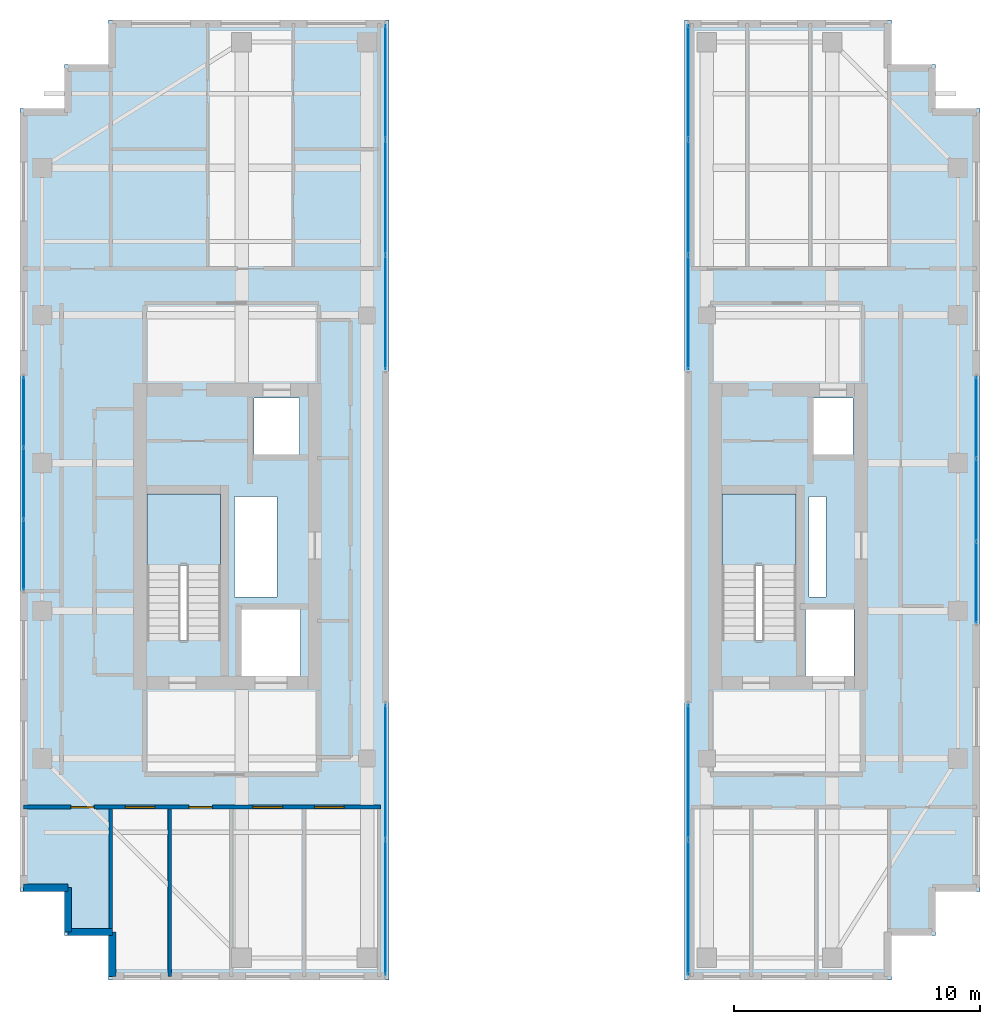
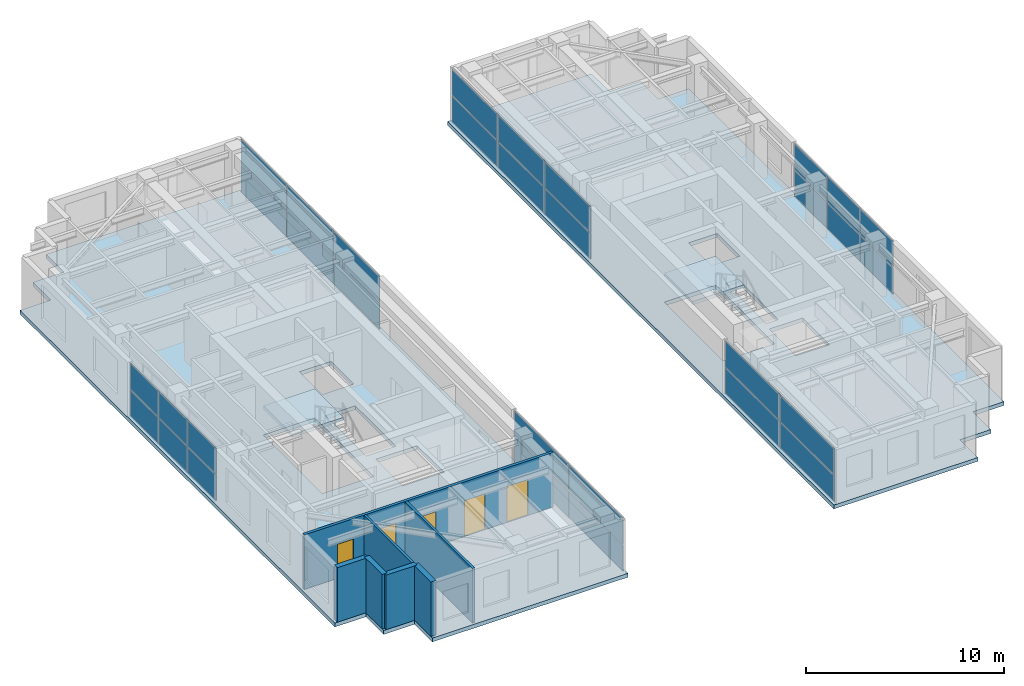
# One storey, part 17 of 23: 32 plates, 7 walls, 5 doors, 4 slabs, 5 openings, 8 elements without a shape of their own.
"""IFC4 building model written with IfcOpenShell, lengths in metres."""

from ifc_helpers import new_model, si_unit, direction, frame, frame_2d, origin, origin_2d, place, context, subcontext, project, spatial, polyline, rectangle, outline, extrude, source, transform, mapped, material, layer, layer_set, type_object, element, fill, aggregate, save


model = new_model("IFC4")

# Units and contexts
model_context = context("Model", 3, precision=1e-05, world=origin(), true_north=direction((0.0, 1.0)))
body_context = subcontext(model_context, "Body", "Model", "MODEL_VIEW")
ifc_project = project(units=[si_unit("LENGTHUNIT", "METRE"), si_unit("AREAUNIT", "SQUARE_METRE"), si_unit("VOLUMEUNIT", "CUBIC_METRE"), si_unit("PLANEANGLEUNIT", "RADIAN"), si_unit("MASSUNIT", "GRAM", prefix="KILO")], contexts=[model_context])

# Site, building, storey
site_placement = place(None, origin())
site = spatial("IfcSite", under=ifc_project, at=site_placement, CompositionType="ELEMENT")
building_placement = place(site_placement, origin())
building = spatial("IfcBuilding", under=site, at=building_placement, Name="Khoralis Quay Care Tower", CompositionType="ELEMENT")
storey_placement = place(building_placement, frame((0.0, 0.0, 252.89990234375)))
storey = spatial("IfcBuildingStorey", under=building, at=storey_placement, Name="L66", CompositionType="ELEMENT", Elevation=252.89990234375)

# Stair, slab
ifc_material_1 = material(Name="Precast concrete C45/55", Category="concrete")
stair_type = type_object("IfcStairType", Name="ST-TWR-DOGLEG-1400", PredefinedType="HALF_TURN_STAIR", material=ifc_material_1)
stair_1_placement = place(storey_placement, origin())
stair_1 = element("IfcStair", 1, at=stair_1_placement, inside=storey, type_object=stair_type, Name="L66 West Core Exit Stair ST-T1", PredefinedType="HALF_TURN_STAIR")
ifc_layer_1 = layer(ifc_material_1, 0.199951171875)
ifc_layer_set_1 = layer_set([ifc_layer_1], Name="Precast concrete C45/55")
slab_type_1 = type_object("IfcSlabType", Name="SLB-LANDING-200", PredefinedType="LANDING", material=ifc_layer_set_1)
slab_1_placement = place(storey_placement, frame((0.0, 0.0, 1.60009765625)))
slab_1 = element("IfcSlab", 2, at=slab_1_placement, type_object=slab_type_1, Name="ST-T1 landing 1", PredefinedType="LANDING", context=body_context, shape_type="SweptSolid", body=[
    extrude(outline(polyline([(11.14990234375, 19.840087890625), (11.14990234375, 22.75), (8.14990234375, 22.75), (8.14990234375, 19.840087890625), (11.14990234375, 19.840087890625)])), origin(), (0.0, 0.0, 1.0), 0.199951171875),
])
aggregate(stair_1, [slab_1])

stair_2_placement = place(storey_placement, origin())
stair_2 = element("IfcStair", 3, at=stair_2_placement, inside=storey, type_object=stair_type, Name="L66 East Core Exit Stair ST-T2", PredefinedType="HALF_TURN_STAIR")
slab_2_placement = place(storey_placement, frame((0.0, 0.0, 1.60009765625)))
slab_2 = element("IfcSlab", 4, at=slab_2_placement, type_object=slab_type_1, Name="ST-T2 landing 1", PredefinedType="LANDING", context=body_context, shape_type="SweptSolid", body=[
    extrude(outline(polyline([(34.52001953125, 19.840087890625), (34.52001953125, 22.75), (31.52001953125, 22.75), (31.52001953125, 19.840087890625), (34.52001953125, 19.840087890625)])), origin(), (0.0, 0.0, 1.0), 0.199951171875),
])
aggregate(stair_2, [slab_2])

# Slabs
ifc_material_2 = material(Name="Concrete C40/50", Category="concrete")
ifc_layer_2 = layer(ifc_material_2, 0.239990234375)
ifc_layer_set_2 = layer_set([ifc_layer_2], Name="Concrete C40/50")
slab_type_2 = type_object("IfcSlabType", Name="SLB-TWR-240", PredefinedType="FLOOR", material=ifc_layer_set_2)
slab_3_placement = place(storey_placement, frame((0.0, 0.0, -0.239990234375)))
element("IfcSlab", 5, at=slab_3_placement, inside=storey, type_object=slab_type_2, Name="Tower Wing 1 Slab L66", PredefinedType="FLOOR", context=body_context, shape_type="SweptSolid", body=[
    extrude(outline(polyline([(6.60009765625, 3.0), (18.0, 3.0), (18.0, 42.0), (6.60009765625, 42.0), (6.60009765625, 40.199951171875), (4.800048828125, 40.199951171875), (4.800048828125, 38.39990234375), (3.0, 38.39990234375), (3.0, 6.60009765625), (4.800048828125, 6.60009765625), (4.800048828125, 4.800048828125), (6.60009765625, 4.800048828125), (6.60009765625, 3.0)]), holes=[polyline([(11.14990234375, 16.800048828125), (11.14990234375, 22.75), (8.14990234375, 22.75), (8.14990234375, 16.800048828125), (11.14990234375, 16.800048828125)]), polyline([(12.0, 15.35009765625), (14.39990234375, 15.35009765625), (14.39990234375, 18.050048828125), (12.0, 18.050048828125), (12.0, 15.35009765625)]), polyline([(12.5, 24.35009765625), (14.35009765625, 24.35009765625), (14.35009765625, 26.64990234375), (12.5, 26.64990234375), (12.5, 24.35009765625)]), polyline([(11.719970703125, 18.550048828125), (13.449951171875, 18.550048828125), (13.449951171875, 22.64990234375), (11.719970703125, 22.64990234375), (11.719970703125, 18.550048828125)])]), origin(), (0.0, 0.0, 1.0), 0.239990234375),
])
slab_4_placement = place(storey_placement, frame((0.0, 0.0, -0.239990234375)))
element("IfcSlab", 6, at=slab_4_placement, inside=storey, type_object=slab_type_2, Name="Tower Wing 2 Slab L66", PredefinedType="FLOOR", context=body_context, shape_type="SweptSolid", body=[
    extrude(outline(polyline([(30.0, 3.0), (38.39990234375, 3.0), (38.39990234375, 4.800048828125), (40.199951171875, 4.800048828125), (40.199951171875, 6.60009765625), (42.0, 6.60009765625), (42.0, 38.39990234375), (40.199951171875, 38.39990234375), (40.199951171875, 40.199951171875), (38.39990234375, 40.199951171875), (38.39990234375, 42.0), (30.0, 42.0), (30.0, 3.0)]), holes=[polyline([(34.52001953125, 16.800048828125), (34.52001953125, 22.75), (31.52001953125, 22.75), (31.52001953125, 16.800048828125), (34.52001953125, 16.800048828125)]), polyline([(34.919921875, 15.35009765625), (36.8798828125, 15.35009765625), (36.8798828125, 18.050048828125), (34.919921875, 18.050048828125), (34.919921875, 15.35009765625)]), polyline([(35.199951171875, 24.35009765625), (36.85009765625, 24.35009765625), (36.85009765625, 26.64990234375), (35.199951171875, 26.64990234375), (35.199951171875, 24.35009765625)]), polyline([(35.050048828125, 18.550048828125), (35.75, 18.550048828125), (35.75, 22.64990234375), (35.050048828125, 22.64990234375), (35.050048828125, 18.550048828125)])]), origin(), (0.0, 0.0, 1.0), 0.239990234375),
])

# Curtain wall, plates
ifc_material_3 = material(Name="Pale anodised aluminium", Category="aluminium")
ifc_layer_3 = layer(ifc_material_3, 0.18994140625)
ifc_layer_set_3 = layer_set([ifc_layer_3], Name="Pale anodised aluminium")
curtain_wall_type_1 = type_object("IfcCurtainWallType", Name="CW-SYS-PORTAL", PredefinedType="NOTDEFINED", material=ifc_layer_set_3)
curtain_wall_1_placement = place(storey_placement, origin())
curtain_wall_1 = element("IfcCurtainWall", 7, at=curtain_wall_1_placement, inside=storey, type_object=curtain_wall_type_1, Name="L66 Unitised Curtain Wall CW-VP-L66-P1-S", PredefinedType="NOTDEFINED")
ifc_material_4 = material(Name="Low-E solar-control double glazing", Category="glass")
ifc_layer_4 = layer(ifc_material_4, 0.031982421875)
ifc_layer_set_4 = layer_set([ifc_layer_4], Name="Low-E solar-control double glazing")
plate_type = type_object("IfcPlateType", Name="PNL-VIS-32", PredefinedType="CURTAIN_PANEL", material=ifc_layer_set_4)
shared_shape_1 = source(origin(), body_context, "Body", "SweptSolid", [
    extrude(rectangle(XDim=5.4599609375, YDim=0.028076171875, at=origin_2d()), origin(), (0.0, 0.0, 1.0), 1.590087890625),
])
plate_1_placement = place(storey_placement, frame((17.85009765625, 5.93994140625, 0.06005859375), z_axis=(0.0, 0.0, 1.0), x_axis=(0.0, 1.0, 0.0)))
plate_1 = element("IfcPlate", 8, at=plate_1_placement, type_object=plate_type, Name="CW4 panel 1.1", PredefinedType="CURTAIN_PANEL", context=body_context, shape_type="MappedRepresentation", body=[
    mapped(shared_shape_1, transform((0.0, 0.0, 0.0), scale=1.0)),
])
plate_2_placement = place(storey_placement, frame((17.85009765625, 5.93994140625, 1.7099609375), z_axis=(0.0, 0.0, 1.0), x_axis=(0.0, 1.0, 0.0)))
plate_2 = element("IfcPlate", 9, at=plate_2_placement, type_object=plate_type, Name="CW4 panel 1.2", PredefinedType="CURTAIN_PANEL", context=body_context, shape_type="MappedRepresentation", body=[
    mapped(shared_shape_1, transform((0.0, 0.0, 0.0), scale=1.0)),
])
plate_3_placement = place(storey_placement, frame((17.85009765625, 11.4599609375, 0.06005859375), z_axis=(0.0, 0.0, 1.0), x_axis=(0.0, 1.0, 0.0)))
plate_3 = element("IfcPlate", 10, at=plate_3_placement, type_object=plate_type, Name="CW4 panel 2.1", PredefinedType="CURTAIN_PANEL", context=body_context, shape_type="MappedRepresentation", body=[
    mapped(shared_shape_1, transform((0.0, 0.0, 0.0), scale=1.0)),
])
plate_4_placement = place(storey_placement, frame((17.85009765625, 11.4599609375, 1.7099609375), z_axis=(0.0, 0.0, 1.0), x_axis=(0.0, 1.0, 0.0)))
plate_4 = element("IfcPlate", 11, at=plate_4_placement, type_object=plate_type, Name="CW4 panel 2.2", PredefinedType="CURTAIN_PANEL", context=body_context, shape_type="MappedRepresentation", body=[
    mapped(shared_shape_1, transform((0.0, 0.0, 0.0), scale=1.0)),
])
aggregate(curtain_wall_1, [plate_1, plate_2, plate_3, plate_4])

curtain_wall_2_placement = place(storey_placement, origin())
curtain_wall_2 = element("IfcCurtainWall", 12, at=curtain_wall_2_placement, inside=storey, type_object=curtain_wall_type_1, Name="L66 Unitised Curtain Wall CW-VP-L66-P2-S", PredefinedType="NOTDEFINED")
plate_5_placement = place(storey_placement, frame((30.14990234375, 5.93994140625, 0.06005859375), z_axis=(0.0, 0.0, 1.0), x_axis=(0.0, 1.0, 0.0)))
plate_5 = element("IfcPlate", 13, at=plate_5_placement, type_object=plate_type, Name="CW4 panel 1.1", PredefinedType="CURTAIN_PANEL", context=body_context, shape_type="MappedRepresentation", body=[
    mapped(shared_shape_1, transform((0.0, 0.0, 0.0), scale=1.0)),
])
plate_6_placement = place(storey_placement, frame((30.14990234375, 5.93994140625, 1.7099609375), z_axis=(0.0, 0.0, 1.0), x_axis=(0.0, 1.0, 0.0)))
plate_6 = element("IfcPlate", 14, at=plate_6_placement, type_object=plate_type, Name="CW4 panel 1.2", PredefinedType="CURTAIN_PANEL", context=body_context, shape_type="MappedRepresentation", body=[
    mapped(shared_shape_1, transform((0.0, 0.0, 0.0), scale=1.0)),
])
plate_7_placement = place(storey_placement, frame((30.14990234375, 11.4599609375, 0.06005859375), z_axis=(0.0, 0.0, 1.0), x_axis=(0.0, 1.0, 0.0)))
plate_7 = element("IfcPlate", 15, at=plate_7_placement, type_object=plate_type, Name="CW4 panel 2.1", PredefinedType="CURTAIN_PANEL", context=body_context, shape_type="MappedRepresentation", body=[
    mapped(shared_shape_1, transform((0.0, 0.0, 0.0), scale=1.0)),
])
plate_8_placement = place(storey_placement, frame((30.14990234375, 11.4599609375, 1.7099609375), z_axis=(0.0, 0.0, 1.0), x_axis=(0.0, 1.0, 0.0)))
plate_8 = element("IfcPlate", 16, at=plate_8_placement, type_object=plate_type, Name="CW4 panel 2.2", PredefinedType="CURTAIN_PANEL", context=body_context, shape_type="MappedRepresentation", body=[
    mapped(shared_shape_1, transform((0.0, 0.0, 0.0), scale=1.0)),
])
aggregate(curtain_wall_2, [plate_5, plate_6, plate_7, plate_8])

curtain_wall_3_placement = place(storey_placement, origin())
curtain_wall_3 = element("IfcCurtainWall", 17, at=curtain_wall_3_placement, inside=storey, type_object=curtain_wall_type_1, Name="L66 Unitised Curtain Wall CW-VP-L66-P1-N", PredefinedType="NOTDEFINED")
shared_shape_2 = source(origin(), body_context, "Body", "SweptSolid", [
    extrude(rectangle(XDim=4.610107421875, YDim=0.028076171875, at=origin_2d()), origin(), (0.0, 0.0, 1.0), 1.590087890625),
])
plate_9_placement = place(storey_placement, frame((17.85009765625, 30.114990234375, 0.06005859375), z_axis=(0.0, 0.0, 1.0), x_axis=(0.0, 1.0, 0.0)))
plate_9 = element("IfcPlate", 18, at=plate_9_placement, type_object=plate_type, Name="CW4 panel 1.1", PredefinedType="CURTAIN_PANEL", context=body_context, shape_type="MappedRepresentation", body=[
    mapped(shared_shape_2, transform((0.0, 0.0, 0.0), scale=1.0)),
])
plate_10_placement = place(storey_placement, frame((17.85009765625, 30.114990234375, 1.7099609375), z_axis=(0.0, 0.0, 1.0), x_axis=(0.0, 1.0, 0.0)))
plate_10 = element("IfcPlate", 19, at=plate_10_placement, type_object=plate_type, Name="CW4 panel 1.2", PredefinedType="CURTAIN_PANEL", context=body_context, shape_type="MappedRepresentation", body=[
    mapped(shared_shape_2, transform((0.0, 0.0, 0.0), scale=1.0)),
])
plate_11_placement = place(storey_placement, frame((17.85009765625, 39.485107421875, 0.06005859375), z_axis=(0.0, 0.0, 1.0), x_axis=(0.0, 1.0, 0.0)))
plate_11 = element("IfcPlate", 20, at=plate_11_placement, type_object=plate_type, Name="CW4 panel 3.1", PredefinedType="CURTAIN_PANEL", context=body_context, shape_type="MappedRepresentation", body=[
    mapped(shared_shape_2, transform((0.0, 0.0, 0.0), scale=1.0)),
])
plate_12_placement = place(storey_placement, frame((17.85009765625, 39.485107421875, 1.7099609375), z_axis=(0.0, 0.0, 1.0), x_axis=(0.0, 1.0, 0.0)))
plate_12 = element("IfcPlate", 21, at=plate_12_placement, type_object=plate_type, Name="CW4 panel 3.2", PredefinedType="CURTAIN_PANEL", context=body_context, shape_type="MappedRepresentation", body=[
    mapped(shared_shape_2, transform((0.0, 0.0, 0.0), scale=1.0)),
])

curtain_wall_4_placement = place(storey_placement, origin())
curtain_wall_4 = element("IfcCurtainWall", 22, at=curtain_wall_4_placement, inside=storey, type_object=curtain_wall_type_1, Name="L66 Unitised Curtain Wall CW-VP-L66-P2-N", PredefinedType="NOTDEFINED")
plate_13_placement = place(storey_placement, frame((30.14990234375, 30.114990234375, 0.06005859375), z_axis=(0.0, 0.0, 1.0), x_axis=(0.0, 1.0, 0.0)))
plate_13 = element("IfcPlate", 23, at=plate_13_placement, type_object=plate_type, Name="CW4 panel 1.1", PredefinedType="CURTAIN_PANEL", context=body_context, shape_type="MappedRepresentation", body=[
    mapped(shared_shape_2, transform((0.0, 0.0, 0.0), scale=1.0)),
])
plate_14_placement = place(storey_placement, frame((30.14990234375, 30.114990234375, 1.7099609375), z_axis=(0.0, 0.0, 1.0), x_axis=(0.0, 1.0, 0.0)))
plate_14 = element("IfcPlate", 24, at=plate_14_placement, type_object=plate_type, Name="CW4 panel 1.2", PredefinedType="CURTAIN_PANEL", context=body_context, shape_type="MappedRepresentation", body=[
    mapped(shared_shape_2, transform((0.0, 0.0, 0.0), scale=1.0)),
])
plate_15_placement = place(storey_placement, frame((30.14990234375, 39.485107421875, 0.06005859375), z_axis=(0.0, 0.0, 1.0), x_axis=(0.0, 1.0, 0.0)))
plate_15 = element("IfcPlate", 25, at=plate_15_placement, type_object=plate_type, Name="CW4 panel 3.1", PredefinedType="CURTAIN_PANEL", context=body_context, shape_type="MappedRepresentation", body=[
    mapped(shared_shape_2, transform((0.0, 0.0, 0.0), scale=1.0)),
])
plate_16_placement = place(storey_placement, frame((30.14990234375, 39.485107421875, 1.7099609375), z_axis=(0.0, 0.0, 1.0), x_axis=(0.0, 1.0, 0.0)))
plate_16 = element("IfcPlate", 26, at=plate_16_placement, type_object=plate_type, Name="CW4 panel 3.2", PredefinedType="CURTAIN_PANEL", context=body_context, shape_type="MappedRepresentation", body=[
    mapped(shared_shape_2, transform((0.0, 0.0, 0.0), scale=1.0)),
])

# Plate
shared_shape_3 = source(origin(), body_context, "Body", "SweptSolid", [
    extrude(rectangle(XDim=4.639892578125, YDim=0.028076171875, at=origin_2d()), origin(), (0.0, 0.0, 1.0), 1.590087890625),
])
plate_17_placement = place(storey_placement, frame((17.85009765625, 34.800048828125, 0.06005859375), z_axis=(0.0, 0.0, 1.0), x_axis=(0.0, 1.0, 0.0)))
plate_17 = element("IfcPlate", 27, at=plate_17_placement, type_object=plate_type, Name="CW4 panel 2.1", PredefinedType="CURTAIN_PANEL", context=body_context, shape_type="MappedRepresentation", body=[
    mapped(shared_shape_3, transform((0.0, 0.0, 0.0), scale=1.0)),
])

plate_18_placement = place(storey_placement, frame((17.85009765625, 34.800048828125, 1.7099609375), z_axis=(0.0, 0.0, 1.0), x_axis=(0.0, 1.0, 0.0)))
plate_18 = element("IfcPlate", 28, at=plate_18_placement, type_object=plate_type, Name="CW4 panel 2.2", PredefinedType="CURTAIN_PANEL", context=body_context, shape_type="MappedRepresentation", body=[
    mapped(shared_shape_3, transform((0.0, 0.0, 0.0), scale=1.0)),
])

aggregate(curtain_wall_3, [plate_9, plate_10, plate_17, plate_18, plate_11, plate_12])

plate_19_placement = place(storey_placement, frame((30.14990234375, 34.800048828125, 0.06005859375), z_axis=(0.0, 0.0, 1.0), x_axis=(0.0, 1.0, 0.0)))
plate_19 = element("IfcPlate", 29, at=plate_19_placement, type_object=plate_type, Name="CW4 panel 2.1", PredefinedType="CURTAIN_PANEL", context=body_context, shape_type="MappedRepresentation", body=[
    mapped(shared_shape_3, transform((0.0, 0.0, 0.0), scale=1.0)),
])

plate_20_placement = place(storey_placement, frame((30.14990234375, 34.800048828125, 1.7099609375), z_axis=(0.0, 0.0, 1.0), x_axis=(0.0, 1.0, 0.0)))
plate_20 = element("IfcPlate", 30, at=plate_20_placement, type_object=plate_type, Name="CW4 panel 2.2", PredefinedType="CURTAIN_PANEL", context=body_context, shape_type="MappedRepresentation", body=[
    mapped(shared_shape_3, transform((0.0, 0.0, 0.0), scale=1.0)),
])

aggregate(curtain_wall_4, [plate_13, plate_14, plate_19, plate_20, plate_15, plate_16])

# Curtain wall, plates
ifc_layer_5 = layer(ifc_material_3, 0.159912109375)
ifc_layer_set_5 = layer_set([ifc_layer_5], Name="Pale anodised aluminium")
curtain_wall_type_2 = type_object("IfcCurtainWallType", Name="CW-SYS-Z3", PredefinedType="NOTDEFINED", material=ifc_layer_set_5)
curtain_wall_5_placement = place(storey_placement, origin())
curtain_wall_5 = element("IfcCurtainWall", 31, at=curtain_wall_5_placement, inside=storey, type_object=curtain_wall_type_2, Name="L66 Unitised Curtain Wall CW-L66-P2-E5", PredefinedType="NOTDEFINED")
shared_shape_4 = source(origin(), body_context, "Body", "SweptSolid", [
    extrude(rectangle(XDim=3.27001953125, YDim=0.028076171875, at=origin_2d()), origin(), (0.0, 0.0, 1.0), 1.590087890625),
])
plate_21_placement = place(storey_placement, frame((41.85009765625, 19.155029296875, 0.06005859375), z_axis=(0.0, 0.0, 1.0), x_axis=(0.0, 1.0, 0.0)))
plate_21 = element("IfcPlate", 32, at=plate_21_placement, type_object=plate_type, Name="CW3 panel 1.1", PredefinedType="CURTAIN_PANEL", context=body_context, shape_type="MappedRepresentation", body=[
    mapped(shared_shape_4, transform((0.0, 0.0, 0.0), scale=1.0)),
])
plate_22_placement = place(storey_placement, frame((41.85009765625, 19.155029296875, 1.7099609375), z_axis=(0.0, 0.0, 1.0), x_axis=(0.0, 1.0, 0.0)))
plate_22 = element("IfcPlate", 33, at=plate_22_placement, type_object=plate_type, Name="CW3 panel 1.2", PredefinedType="CURTAIN_PANEL", context=body_context, shape_type="MappedRepresentation", body=[
    mapped(shared_shape_4, transform((0.0, 0.0, 0.0), scale=1.0)),
])
plate_23_placement = place(storey_placement, frame((41.85009765625, 25.844970703125, 0.06005859375), z_axis=(0.0, 0.0, 1.0), x_axis=(0.0, 1.0, 0.0)))
plate_23 = element("IfcPlate", 34, at=plate_23_placement, type_object=plate_type, Name="CW3 panel 3.1", PredefinedType="CURTAIN_PANEL", context=body_context, shape_type="MappedRepresentation", body=[
    mapped(shared_shape_4, transform((0.0, 0.0, 0.0), scale=1.0)),
])
plate_24_placement = place(storey_placement, frame((41.85009765625, 25.844970703125, 1.7099609375), z_axis=(0.0, 0.0, 1.0), x_axis=(0.0, 1.0, 0.0)))
plate_24 = element("IfcPlate", 35, at=plate_24_placement, type_object=plate_type, Name="CW3 panel 3.2", PredefinedType="CURTAIN_PANEL", context=body_context, shape_type="MappedRepresentation", body=[
    mapped(shared_shape_4, transform((0.0, 0.0, 0.0), scale=1.0)),
])
shared_shape_5 = source(origin(), body_context, "Body", "SweptSolid", [
    extrude(rectangle(XDim=3.300048828125, YDim=0.028076171875, at=origin_2d()), origin(), (0.0, 0.0, 1.0), 1.590087890625),
])
plate_25_placement = place(storey_placement, frame((41.85009765625, 22.5, 0.06005859375), z_axis=(0.0, 0.0, 1.0), x_axis=(0.0, 1.0, 0.0)))
plate_25 = element("IfcPlate", 36, at=plate_25_placement, type_object=plate_type, Name="CW3 panel 2.1", PredefinedType="CURTAIN_PANEL", context=body_context, shape_type="MappedRepresentation", body=[
    mapped(shared_shape_5, transform((0.0, 0.0, 0.0), scale=1.0)),
])
plate_26_placement = place(storey_placement, frame((41.85009765625, 22.5, 1.7099609375), z_axis=(0.0, 0.0, 1.0), x_axis=(0.0, 1.0, 0.0)))
plate_26 = element("IfcPlate", 37, at=plate_26_placement, type_object=plate_type, Name="CW3 panel 2.2", PredefinedType="CURTAIN_PANEL", context=body_context, shape_type="MappedRepresentation", body=[
    mapped(shared_shape_5, transform((0.0, 0.0, 0.0), scale=1.0)),
])
aggregate(curtain_wall_5, [plate_21, plate_22, plate_25, plate_26, plate_23, plate_24])

curtain_wall_6_placement = place(storey_placement, origin())
curtain_wall_6 = element("IfcCurtainWall", 38, at=curtain_wall_6_placement, inside=storey, type_object=curtain_wall_type_2, Name="L66 Unitised Curtain Wall CW-L66-P1-E7", PredefinedType="NOTDEFINED")
shared_shape_6 = source(origin(), body_context, "Body", "SweptSolid", [
    extrude(rectangle(XDim=2.8232421875, YDim=0.028076171875, at=origin_2d()), origin(), (0.0, 0.0, 1.0), 1.590087890625),
])
plate_27_placement = place(storey_placement, frame((3.14990234375, 26.068359375, 0.06005859375), z_axis=(0.0, 0.0, 1.0), x_axis=(0.0, -1.0, 0.0)))
plate_27 = element("IfcPlate", 39, at=plate_27_placement, type_object=plate_type, Name="CW3 panel 1.1", PredefinedType="CURTAIN_PANEL", context=body_context, shape_type="MappedRepresentation", body=[
    mapped(shared_shape_6, transform((0.0, 0.0, 0.0), scale=1.0)),
])
plate_28_placement = place(storey_placement, frame((3.14990234375, 26.068359375, 1.7099609375), z_axis=(0.0, 0.0, 1.0), x_axis=(0.0, -1.0, 0.0)))
plate_28 = element("IfcPlate", 40, at=plate_28_placement, type_object=plate_type, Name="CW3 panel 1.2", PredefinedType="CURTAIN_PANEL", context=body_context, shape_type="MappedRepresentation", body=[
    mapped(shared_shape_6, transform((0.0, 0.0, 0.0), scale=1.0)),
])
plate_29_placement = place(storey_placement, frame((3.14990234375, 20.271728515625, 0.06005859375), z_axis=(0.0, 0.0, 1.0), x_axis=(0.0, -1.0, 0.0)))
plate_29 = element("IfcPlate", 41, at=plate_29_placement, type_object=plate_type, Name="CW3 panel 3.1", PredefinedType="CURTAIN_PANEL", context=body_context, shape_type="MappedRepresentation", body=[
    mapped(shared_shape_6, transform((0.0, 0.0, 0.0), scale=1.0)),
])
plate_30_placement = place(storey_placement, frame((3.14990234375, 20.271728515625, 1.7099609375), z_axis=(0.0, 0.0, 1.0), x_axis=(0.0, -1.0, 0.0)))
plate_30 = element("IfcPlate", 42, at=plate_30_placement, type_object=plate_type, Name="CW3 panel 3.2", PredefinedType="CURTAIN_PANEL", context=body_context, shape_type="MappedRepresentation", body=[
    mapped(shared_shape_6, transform((0.0, 0.0, 0.0), scale=1.0)),
])
shared_shape_7 = source(origin(), body_context, "Body", "SweptSolid", [
    extrude(rectangle(XDim=2.853271484375, YDim=0.028076171875, at=origin_2d()), origin(), (0.0, 0.0, 1.0), 1.590087890625),
])
plate_31_placement = place(storey_placement, frame((3.14990234375, 23.169921875, 0.06005859375), z_axis=(0.0, 0.0, 1.0), x_axis=(0.0, -1.0, 0.0)))
plate_31 = element("IfcPlate", 43, at=plate_31_placement, type_object=plate_type, Name="CW3 panel 2.1", PredefinedType="CURTAIN_PANEL", context=body_context, shape_type="MappedRepresentation", body=[
    mapped(shared_shape_7, transform((0.0, 0.0, 0.0), scale=1.0)),
])
plate_32_placement = place(storey_placement, frame((3.14990234375, 23.169921875, 1.7099609375), z_axis=(0.0, 0.0, 1.0), x_axis=(0.0, -1.0, 0.0)))
plate_32 = element("IfcPlate", 44, at=plate_32_placement, type_object=plate_type, Name="CW3 panel 2.2", PredefinedType="CURTAIN_PANEL", context=body_context, shape_type="MappedRepresentation", body=[
    mapped(shared_shape_7, transform((0.0, 0.0, 0.0), scale=1.0)),
])
aggregate(curtain_wall_6, [plate_27, plate_28, plate_31, plate_32, plate_29, plate_30])

# Wall, openings, doors
ifc_material_5 = material(Name="Gypsum plasterboard on acoustic metal stud")
ifc_layer_6 = layer(ifc_material_5, 0.1650390625)
ifc_layer_set_6 = layer_set([ifc_layer_6], Name="Gypsum plasterboard on acoustic metal stud")
wall_type_1 = type_object("IfcWallType", Name="WL-CORR-165", PredefinedType="PARTITIONING", material=ifc_layer_set_6)
wall_1_placement = place(storey_placement, frame((3.14501953125, 10.02001953125, 0.0), z_axis=(0.0, 0.0, 1.0), x_axis=(1.0, 0.0, 0.0)))
wall_1 = element("IfcWall", 45, at=wall_1_placement, inside=storey, type_object=wall_type_1, Name="L66 West Wing South Corridor Wall", PredefinedType="PARTITIONING", context=body_context, shape_type="SweptSolid", body=[
    extrude(rectangle(XDim=14.5048828125, YDim=0.1650390625, at=frame_2d((7.25244140625, 0.0))), origin(), (0.0, 0.0, 1.0), 3.360107421875),
])
opening_1_placement = place(wall_1_placement, frame((4.135009765625, 0.0, 0.0)))
opening_1 = element("IfcOpeningElement", 46, at=opening_1_placement, cuts=wall_1, Name="Opening FD1", PredefinedType="OPENING", context=body_context, shape_type="SweptSolid", body=[
    extrude(rectangle(XDim=1.199951171875, YDim=2.199951171875, at=frame_2d((0.60009765625, 1.10009765625))), frame((0.0, 0.092529296875, 0.0), z_axis=(0.0, -1.0, 0.0), x_axis=(1.0, 0.0, 0.0)), (0.0, 0.0, 1.0), 0.18505859375),
])
opening_2_placement = place(wall_1_placement, frame((6.715087890625, 0.0, 0.0)))
opening_2 = element("IfcOpeningElement", 47, at=opening_2_placement, cuts=wall_1, Name="Opening ID1", PredefinedType="OPENING", context=body_context, shape_type="SweptSolid", body=[
    extrude(rectangle(XDim=0.949951171875, YDim=2.10009765625, at=frame_2d((0.47509765625, 1.050048828125))), frame((0.0, 0.092529296875, 0.0), z_axis=(0.0, -1.0, 0.0), x_axis=(1.0, 0.0, 0.0)), (0.0, 0.0, 1.0), 0.18505859375),
])
opening_3_placement = place(wall_1_placement, frame((9.320068359375, 0.0, 0.0)))
opening_3 = element("IfcOpeningElement", 48, at=opening_3_placement, cuts=wall_1, Name="Opening FD1", PredefinedType="OPENING", context=body_context, shape_type="SweptSolid", body=[
    extrude(rectangle(XDim=1.199951171875, YDim=2.199951171875, at=frame_2d((0.60009765625, 1.10009765625))), frame((0.0, 0.092529296875, 0.0), z_axis=(0.0, -1.0, 0.0), x_axis=(1.0, 0.0, 0.0)), (0.0, 0.0, 1.0), 0.18505859375),
])
opening_4_placement = place(wall_1_placement, frame((11.824951171875, 0.0, 0.0)))
opening_4 = element("IfcOpeningElement", 49, at=opening_4_placement, cuts=wall_1, Name="Opening FD1", PredefinedType="OPENING", context=body_context, shape_type="SweptSolid", body=[
    extrude(rectangle(XDim=1.199951171875, YDim=2.199951171875, at=frame_2d((0.60009765625, 1.10009765625))), frame((0.0, 0.092529296875, 0.0), z_axis=(0.0, -1.0, 0.0), x_axis=(1.0, 0.0, 0.0)), (0.0, 0.0, 1.0), 0.18505859375),
])
opening_5_placement = place(wall_1_placement, frame((1.919921875, 0.0, 0.0)))
opening_5 = element("IfcOpeningElement", 50, at=opening_5_placement, cuts=wall_1, Name="Opening ID1", PredefinedType="OPENING", context=body_context, shape_type="SweptSolid", body=[
    extrude(rectangle(XDim=0.949951171875, YDim=2.10009765625, at=frame_2d((0.47509765625, 1.050048828125))), frame((0.0, 0.092529296875, 0.0), z_axis=(0.0, -1.0, 0.0), x_axis=(1.0, 0.0, 0.0)), (0.0, 0.0, 1.0), 0.18505859375),
])
ifc_material_6 = material(Name="Fire-rated painted steel", Category="steel")
door_type_1 = type_object("IfcDoorType", Name="DR-FFL-1200X2200", OperationType="NOTDEFINED", PredefinedType="DOOR", material=ifc_material_6)
shared_shape_8 = source(origin(), body_context, "Body", "SweptSolid", [
    extrude(rectangle(XDim=1.199951171875, YDim=2.199951171875, at=frame_2d((0.60009765625, 1.10009765625))), frame((0.0, 0.02490234375, 0.0), z_axis=(0.0, -1.0, 0.0), x_axis=(1.0, 0.0, 0.0)), (0.0, 0.0, 1.0), 0.050048828125),
])
door_1_placement = place(opening_1_placement, frame((1.199951171875, 0.0, 0.0), z_axis=(0.0, 0.0, 1.0), x_axis=(-1.0, 0.0, 0.0)))
door_1 = element("IfcDoor", 51, at=door_1_placement, inside=storey, type_object=door_type_1, Name="L66 Senior Wellness Pharmacy Shop Door", OperationType="DOUBLE_DOOR_SINGLE_SWING", OverallHeight=2.199951171875, OverallWidth=1.199951171875, PredefinedType="DOOR", context=body_context, shape_type="MappedRepresentation", body=[
    mapped(shared_shape_8, transform((0.0, 0.0, 0.0), scale=1.0)),
])
fill(opening_1, door_1)
door_2_placement = place(opening_3_placement, frame((1.199951171875, 0.0, 0.0), z_axis=(0.0, 0.0, 1.0), x_axis=(-1.0, 0.0, 0.0)))
door_2 = element("IfcDoor", 52, at=door_2_placement, inside=storey, type_object=door_type_1, Name="L66 Assisted Communal Dining Room Door", OperationType="DOUBLE_DOOR_SINGLE_SWING", OverallHeight=2.199951171875, OverallWidth=1.199951171875, PredefinedType="DOOR", context=body_context, shape_type="MappedRepresentation", body=[
    mapped(shared_shape_8, transform((0.0, 0.0, 0.0), scale=1.0)),
])
fill(opening_3, door_2)
door_3_placement = place(opening_4_placement, frame((1.199951171875, 0.0, 0.0), z_axis=(0.0, 0.0, 1.0), x_axis=(-1.0, 0.0, 0.0)))
door_3 = element("IfcDoor", 53, at=door_3_placement, inside=storey, type_object=door_type_1, Name="L66 Resident Communal Day Lounge Door", OperationType="DOUBLE_DOOR_SINGLE_SWING", OverallHeight=2.199951171875, OverallWidth=1.199951171875, PredefinedType="DOOR", context=body_context, shape_type="MappedRepresentation", body=[
    mapped(shared_shape_8, transform((0.0, 0.0, 0.0), scale=1.0)),
])
fill(opening_4, door_3)
ifc_material_7 = material(Name="Acoustic hardwood timber", Category="wood")
door_type_2 = type_object("IfcDoorType", Name="DR-ROOM-950X2100", OperationType="NOTDEFINED", PredefinedType="DOOR", material=ifc_material_7)
shared_shape_9 = source(origin(), body_context, "Body", "SweptSolid", [
    extrude(rectangle(XDim=0.949951171875, YDim=2.10009765625, at=frame_2d((0.47509765625, 1.050048828125))), frame((0.0, 0.02490234375, 0.0), z_axis=(0.0, -1.0, 0.0), x_axis=(1.0, 0.0, 0.0)), (0.0, 0.0, 1.0), 0.050048828125),
])
door_4_placement = place(opening_2_placement, frame((0.949951171875, 0.0, 0.0), z_axis=(0.0, 0.0, 1.0), x_axis=(-1.0, 0.0, 0.0)))
door_4 = element("IfcDoor", 54, at=door_4_placement, inside=storey, type_object=door_type_2, Name="L66 Family Case Conference Room Door", OperationType="SINGLE_SWING_LEFT", OverallHeight=2.10009765625, OverallWidth=0.949951171875, PredefinedType="DOOR", context=body_context, shape_type="MappedRepresentation", body=[
    mapped(shared_shape_9, transform((0.0, 0.0, 0.0), scale=1.0)),
])
fill(opening_2, door_4)
door_5_placement = place(opening_5_placement, frame((0.949951171875, 0.0, 0.0), z_axis=(0.0, 0.0, 1.0), x_axis=(-1.0, 0.0, 0.0)))
door_5 = element("IfcDoor", 55, at=door_5_placement, inside=storey, type_object=door_type_2, Name="L66 SW Corner Door", OperationType="SINGLE_SWING_LEFT", OverallHeight=2.10009765625, OverallWidth=0.949951171875, PredefinedType="DOOR", context=body_context, shape_type="MappedRepresentation", body=[
    mapped(shared_shape_9, transform((0.0, 0.0, 0.0), scale=1.0)),
])
fill(opening_5, door_5)

# Walls
ifc_layer_7 = layer(ifc_material_1, 0.300048828125)
ifc_layer_set_7 = layer_set([ifc_layer_7], Name="Precast concrete C45/55")
wall_type_2 = type_object("IfcWallType", Name="WL-EXT-REF-300", PredefinedType="SOLIDWALL", material=ifc_layer_set_7)
for number, where, z_axis, x_axis, name in (
    (56, (3.14990234375, 6.75, 0.0), (0.0, 0.0, 1.0), (1.0, 0.0, 0.0), "L66 External Facade Wall WL-EXT-L66-P1-C8"),
    (57, (4.949951171875, 6.75, 0.0), (0.0, 0.0, 1.0), (0.0, -1.0, 0.0), "L66 External Facade Wall WL-EXT-L66-P1-C9"),
    (58, (4.949951171875, 4.949951171875, 0.0), (0.0, 0.0, 1.0), (1.0, 0.0, 0.0), "L66 External Facade Wall WL-EXT-L66-P1-C10"),
    (59, (6.75, 4.949951171875, 0.0), (0.0, 0.0, 1.0), (0.0, -1.0, 0.0), "L66 External Facade Wall WL-EXT-L66-P1-C11"),
):
    element("IfcWall", number, at=place(storey_placement, frame(where, z_axis=z_axis, x_axis=x_axis)), inside=storey, type_object=wall_type_2, Name=name, PredefinedType="SOLIDWALL", context=body_context, shape_type="SweptSolid", body=[
        extrude(rectangle(XDim=1.800048828125, YDim=0.300048828125, at=frame_2d((0.89990234375, 0.0))), origin(), (0.0, 0.0, 1.0), 3.360107421875),
    ])
ifc_layer_8 = layer(ifc_material_5, 0.139892578125)
ifc_layer_set_8 = layer_set([ifc_layer_8], Name="Gypsum plasterboard on acoustic metal stud")
wall_type_3 = type_object("IfcWallType", Name="WL-UNIT-140", PredefinedType="PARTITIONING", material=ifc_layer_set_8)
wall_2_placement = place(storey_placement, frame((6.679931640625, 4.945068359375, 0.0), z_axis=(0.0, 0.0, 1.0), x_axis=(0.0, 1.0, 0.0)))
element("IfcWall", 60, at=wall_2_placement, inside=storey, type_object=wall_type_3, Name="L66 WS Demising Wall 0", PredefinedType="PARTITIONING", context=body_context, shape_type="SweptSolid", body=[
    extrude(rectangle(XDim=4.997314453125, YDim=0.139892578125, at=frame_2d((2.49853515625, 0.0))), origin(), (0.0, 0.0, 1.0), 3.360107421875),
])
wall_3_placement = place(storey_placement, frame((9.080078125, 3.14501953125, 0.0), z_axis=(0.0, 0.0, 1.0), x_axis=(0.0, 1.0, 0.0)))
element("IfcWall", 61, at=wall_3_placement, inside=storey, type_object=wall_type_3, Name="L66 WS Demising Wall 1", PredefinedType="PARTITIONING", context=body_context, shape_type="SweptSolid", body=[
    extrude(rectangle(XDim=6.79736328125, YDim=0.139892578125, at=frame_2d((3.398681640625, 0.0))), origin(), (0.0, 0.0, 1.0), 3.360107421875),
])

save(model, "model.ifc")
